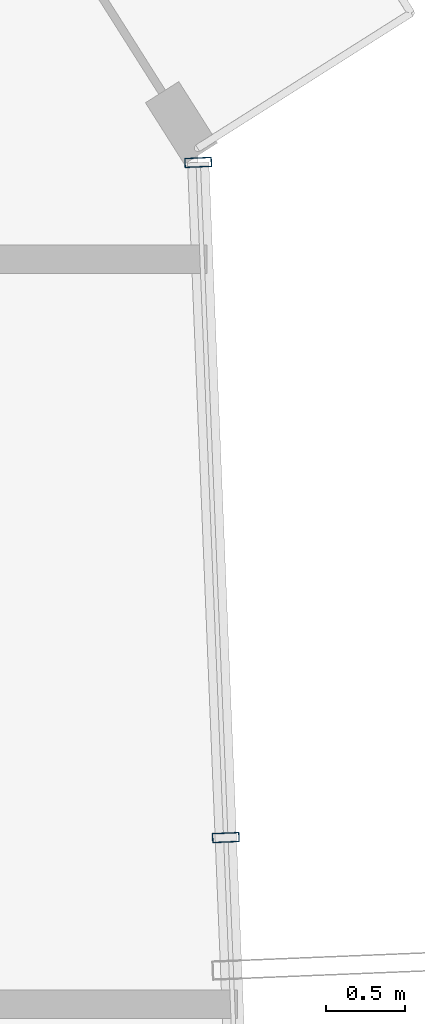
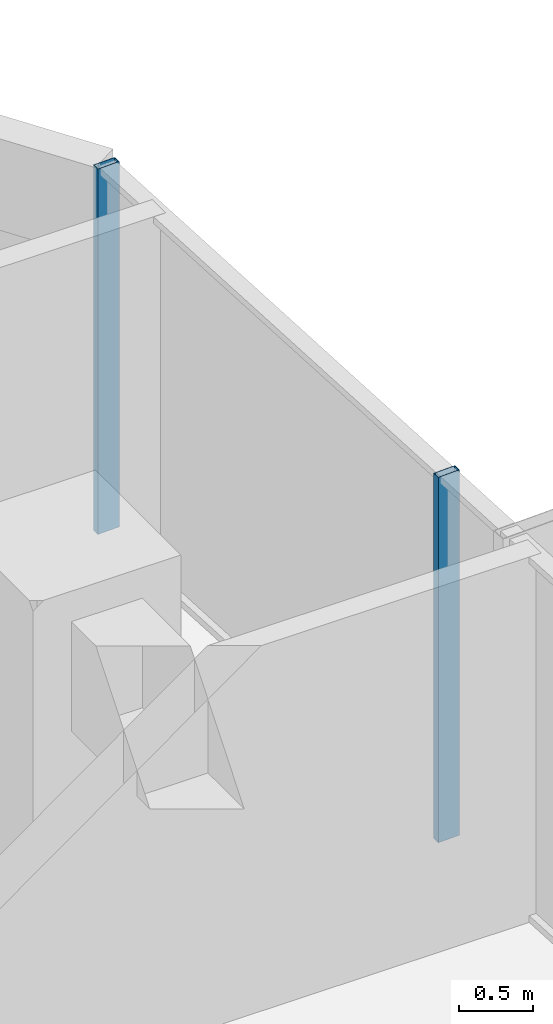
# One storey, part 16 of 32: 2 members, 1 element without a shape of its own.
"""IFC4 building model written with IfcOpenShell, lengths in metres."""

from ifc_helpers import new_model, si_unit, direction, frame, origin, origin_2d, place, context, subcontext, project, spatial, hollow_rectangle, extrude, source, transform, mapped, material, layer, layer_set, material_profile, profile_set, type_object, element, aggregate, save


model = new_model("IFC4")

# Units and contexts
model_context = context("Model", 3, precision=1e-05, world=origin(), true_north=direction((0.0, 1.0)))
body_context = subcontext(model_context, "Body", "Model", "MODEL_VIEW")
ifc_project = project(units=[si_unit("LENGTHUNIT", "METRE"), si_unit("AREAUNIT", "SQUARE_METRE"), si_unit("VOLUMEUNIT", "CUBIC_METRE"), si_unit("PLANEANGLEUNIT", "RADIAN"), si_unit("MASSUNIT", "GRAM", prefix="KILO")], contexts=[model_context])

# Site, building, storey
site_placement = place(None, origin())
site = spatial("IfcSite", under=ifc_project, at=site_placement, CompositionType="ELEMENT")
building_placement = place(site_placement, origin())
building = spatial("IfcBuilding", under=site, at=building_placement, Name="Veraguas Prism Commons", CompositionType="ELEMENT")
storey_placement = place(building_placement, frame((0.0, 0.0, 136.0)))
storey = spatial("IfcBuildingStorey", under=building, at=storey_placement, Name="L38", CompositionType="ELEMENT", Elevation=136.0)

# Curtain wall, members
ifc_material = material(Name="Anodised aluminium EN AW-6063 T6", Category="aluminium")
ifc_layer = layer(ifc_material, 0.169921875, Name="Unitised Flush Curtain Wall Zone 2", Category="aluminium")
ifc_layer_set = layer_set([ifc_layer], Name="Anodised aluminium EN AW-6063 T6")
curtain_wall_type = type_object("IfcCurtainWallType", Name="Unitised Flush Curtain Wall Zone 2", PredefinedType="NOTDEFINED", material=ifc_layer_set)
curtain_wall_placement = place(storey_placement, origin())
curtain_wall = element("IfcCurtainWall", 1, at=curtain_wall_placement, inside=storey, type_object=curtain_wall_type, Name="Tower Facade Curtain Wall L38-F6", PredefinedType="NOTDEFINED")
ifc_material_profile = material_profile(ifc_material, hollow_rectangle(XDim=0.06005859375, YDim=0.169921875, WallThickness=0.00390625, at=origin_2d()), Name="AL60X170X4")
ifc_profile_set = profile_set([ifc_material_profile], Name="Anodised aluminium EN AW-6063 T6")
member_type = type_object("IfcMemberType", Name="Curtain Wall Mullion Lower AL 60x170x4", PredefinedType="MULLION", material=ifc_profile_set)
shared_shape = source(origin(), body_context, "Body", "SweptSolid", [
    extrude(hollow_rectangle(XDim=0.06005859375, YDim=0.169921875, WallThickness=0.00390625, at=origin_2d()), origin(), (0.0, 0.0, 1.0), 3.0),
])
member_1_placement = place(storey_placement, frame((42.990478515625, 29.08837890625, 0.0), z_axis=(0.0, 0.0, 1.0), x_axis=(-0.040836327473, 0.999165849276, 0.0)))
member_1 = element("IfcMember", 2, at=member_1_placement, type_object=member_type, Name="CW-Z2 Mullion 4", PredefinedType="MULLION", context=body_context, shape_type="MappedRepresentation", body=[
    mapped(shared_shape, transform((0.0, 0.0, 0.0), scale=1.0)),
])
member_2_placement = place(storey_placement, frame((42.81591796875, 33.36328125, 0.0), z_axis=(0.0, 0.0, 1.0), x_axis=(-0.040836327473, 0.999165849276, 0.0)))
member_2 = element("IfcMember", 3, at=member_2_placement, type_object=member_type, Name="CW-Z2 Mullion 5", PredefinedType="MULLION", context=body_context, shape_type="MappedRepresentation", body=[
    mapped(shared_shape, transform((0.0, 0.0, 0.0), scale=1.0)),
])
aggregate(curtain_wall, [member_1, member_2])

save(model, "model.ifc")
